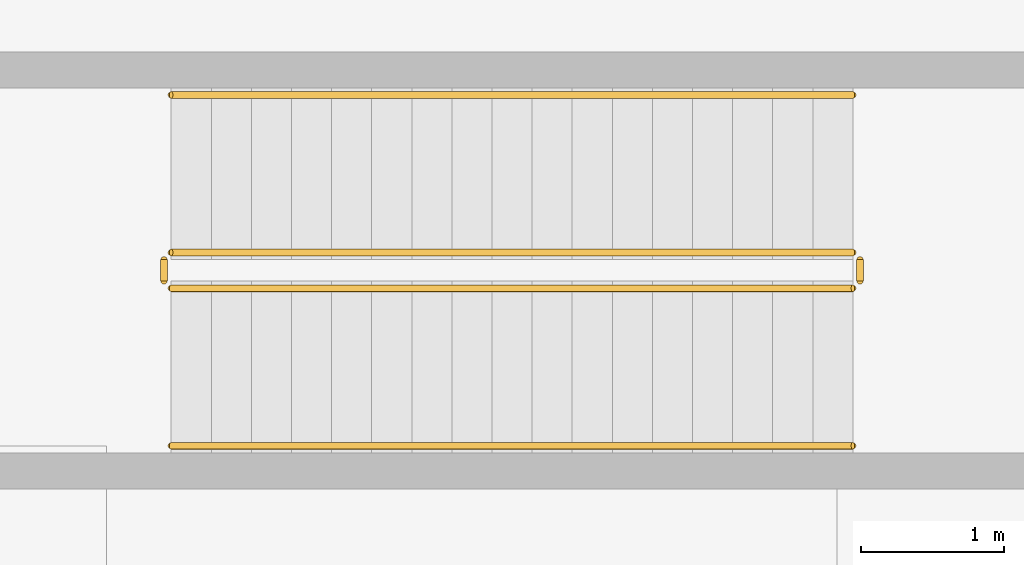
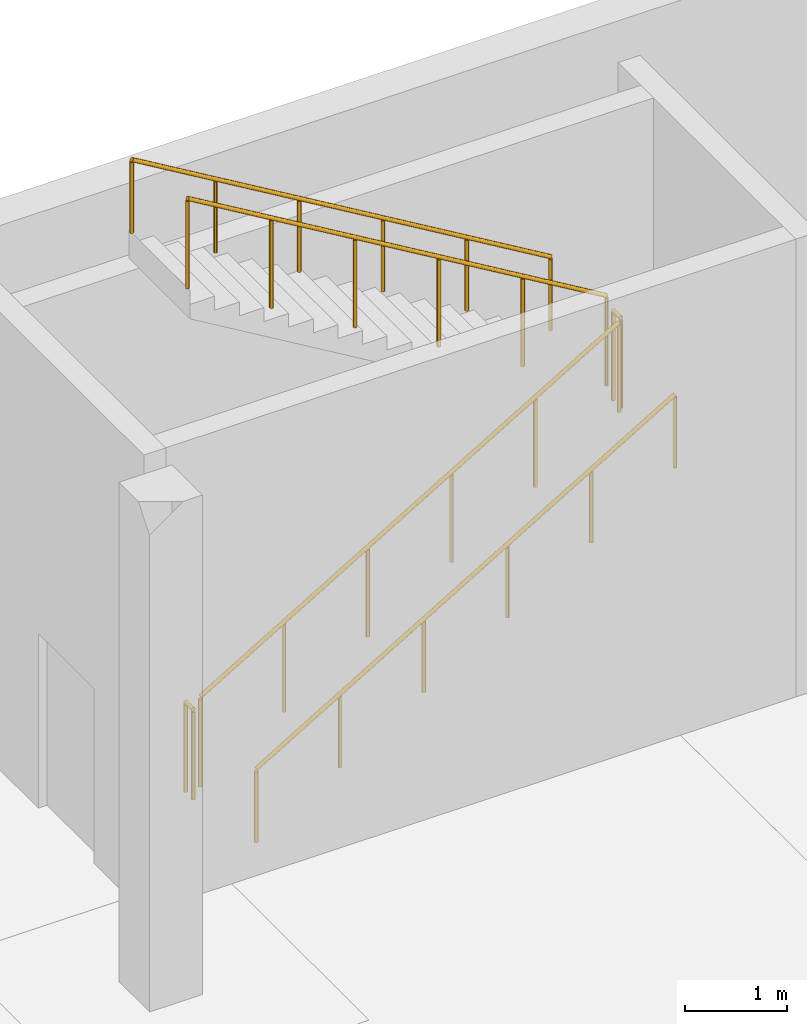
# One storey, part 29 of 39: 6 railings.
"""IFC4 building model written with IfcOpenShell, lengths in metres."""

import ifcopenshell
import ifcopenshell.guid

model = None  # the IFC model being written
_history = None  # IfcOwnerHistory: only IFC2X3 demands one
_inside = {}  # id of a spatial element -> (the spatial element, [elements in it])
_under = {}  # id of a project, library or spatial element -> (it, [spatial elements below it])
_declared = {}  # id of a project -> (the project, [libraries it declares])
_typed = {}  # id of a type object -> (the type object, [elements of that type])
_made_of = {}  # id of a material, layer set ... -> (it, [elements and type objects made of it])


def new_model(schema):
    """Start an empty IFC model of exactly this schema.

    Asked for "IFC4X3", IfcOpenShell would pick the latest addendum, in which some entities
    have other attributes; the version numbers below select the first issue.
    IFC2X3 requires an IfcOwnerHistory on every rooted entity: one is made here for all.
    """
    global model, _history
    if schema == "IFC4X3":
        model = ifcopenshell.file(schema_version=(4, 3, 0, 0))
    else:
        model = ifcopenshell.file(schema=schema)
    _inside.clear()
    _under.clear()
    _declared.clear()
    _typed.clear()
    _made_of.clear()
    _history = None
    if model.schema == "IFC2X3":
        org = make("IfcOrganization", Name="unknown")
        user = make(
            "IfcPersonAndOrganization",
            ThePerson=make("IfcPerson", FamilyName="unknown"),
            TheOrganization=org,
        )
        app = make(
            "IfcApplication",
            ApplicationDeveloper=org,
            Version="unknown",
            ApplicationFullName="unknown",
            ApplicationIdentifier="unknown",
        )
        _history = make(
            "IfcOwnerHistory",
            OwningUser=user,
            OwningApplication=app,
            ChangeAction="ADDED",
            CreationDate=0,
        )
    return model


def make(cls, **values):
    """One entity of the class cls with the attributes given. An attribute that is None is left unset."""
    return model.create_entity(
        cls, **{name: value for name, value in values.items() if value is not None}
    )


def rooted(cls, **values):
    """An entity with a GlobalId (a new one), such as an element, a storey or a relation."""
    return make(cls, GlobalId=ifcopenshell.guid.new(), OwnerHistory=_history, **values)


def si_unit(unit_type, name, prefix=None):
    """IfcSIUnit, for example si_unit("LENGTHUNIT", "METRE", prefix="MILLI")."""
    return make("IfcSIUnit", UnitType=unit_type, Prefix=prefix, Name=name)


def assignment(units):
    """IfcUnitAssignment: the units of a project."""
    return None if units is None else make("IfcUnitAssignment", Units=units)


def point(xyz):
    """IfcCartesianPoint."""
    return None if xyz is None else make("IfcCartesianPoint", Coordinates=xyz)


def direction(xyz):
    """IfcDirection."""
    return None if xyz is None else make("IfcDirection", DirectionRatios=xyz)


def frame(location, z_axis=None, x_axis=None):
    """IfcAxis2Placement3D, a coordinate frame: its origin and axes. An axis left out is left unset."""
    return make(
        "IfcAxis2Placement3D",
        Location=point(location),
        Axis=direction(z_axis),
        RefDirection=direction(x_axis),
    )


def frame_2d(location, x_axis=None):
    """IfcAxis2Placement2D, a coordinate frame in the plane: its origin and x axis."""
    return make(
        "IfcAxis2Placement2D", Location=point(location), RefDirection=direction(x_axis)
    )


def origin():
    """The frame at (0, 0, 0) with its axes left unset."""
    return frame((0.0, 0.0, 0.0))


def origin_2d():
    """The frame at (0, 0) in the plane with its x axis left unset."""
    return frame_2d((0.0, 0.0))


def place(relative_to, where):
    """IfcLocalPlacement: puts the frame where relative to a parent placement (None: the world)."""
    return make(
        "IfcLocalPlacement", PlacementRelTo=relative_to, RelativePlacement=where
    )


def context(
    kind, dimensions, precision=None, world=None, true_north=None, identifier=None
):
    """IfcGeometricRepresentationContext, for example the 3D "Model" context."""
    return make(
        "IfcGeometricRepresentationContext",
        ContextIdentifier=identifier,
        ContextType=kind,
        CoordinateSpaceDimension=dimensions,
        Precision=precision,
        WorldCoordinateSystem=world,
        TrueNorth=true_north,
    )


def subcontext(parent, identifier, kind, view, scale=None):
    """IfcGeometricRepresentationSubContext, for example "Body" below "Model"."""
    return make(
        "IfcGeometricRepresentationSubContext",
        ContextIdentifier=identifier,
        ContextType=kind,
        ParentContext=parent,
        TargetScale=scale,
        TargetView=view,
    )


def project(units=None, contexts=None):
    """IfcProject with its units and contexts."""
    return rooted(
        "IfcProject",
        Name="project",
        RepresentationContexts=contexts,
        UnitsInContext=assignment(units),
    )


def spatial(cls, under=None, at=None, **own):
    """A site, building, storey or space (cls), placed at a placement, below another one or the project."""
    s = rooted(cls, ObjectPlacement=at, **own)
    if under is not None:
        _under.setdefault(under.id(), (under, []))[1].append(s)
    return s


def profile(cls, at=None, kind="AREA", **sizes):
    """A parametric profile (cls). Its sizes go by their IFC names, for example OverallWidth=200.0."""
    return make(cls, ProfileType=kind, Position=at, **sizes)


def circle(**sizes):
    """IfcCircleProfileDef."""
    return profile("IfcCircleProfileDef", **sizes)


def extrude(swept, where, along, depth):
    """IfcExtrudedAreaSolid: the profile swept, set in the frame where, extruded along a direction by depth."""
    return make(
        "IfcExtrudedAreaSolid",
        SweptArea=swept,
        Position=where,
        ExtrudedDirection=direction(along),
        Depth=depth,
    )


def shape(context_of_items, identifier, shape_type, items):
    """IfcShapeRepresentation: the items that make up one representation, for example the "Body"."""
    return make(
        "IfcShapeRepresentation",
        ContextOfItems=context_of_items,
        RepresentationIdentifier=identifier,
        RepresentationType=shape_type,
        Items=items,
    )


def material(Name=None, Category=None):
    """IfcMaterial."""
    return make("IfcMaterial", Name=Name, Category=Category)


def made_of(thing, what):
    """Note that an element or type object is made of a material, layer set ...; save() writes the relation."""
    if what is not None:
        _made_of.setdefault(what.id(), (what, []))[1].append(thing)
    return thing


def type_object(cls, material=None, **own):
    """A type object (cls), such as IfcWallType, which elements share."""
    return made_of(rooted(cls, **own), material)


def element(
    cls,
    number,
    at=None,
    inside=None,
    cuts=None,
    type_object=None,
    material=None,
    context=None,
    identifier="Body",
    shape_type=None,
    held_by="IfcProductDefinitionShape",
    body=None,
    shapes=None,
    **own,
):
    """One element of the class cls, such as IfcWall. Its Tag is "e" and its number.

    at: its placement. inside: the storey or other place that contains it. cuts: it is an
    opening in that element (IfcRelVoidsElement). A single representation is given by context,
    identifier, shape_type and body (its items); several are given by shapes. held_by: the class
    of the entity that holds the representations. save() writes the other relations.
    """
    e = rooted(cls, Tag="e%d" % number, ObjectPlacement=at, **own)
    if body is not None:
        shapes = [shape(context, identifier, shape_type, body)]
    if shapes is not None:
        e.Representation = make(held_by, Representations=shapes)
    if inside is not None:
        _inside.setdefault(inside.id(), (inside, []))[1].append(e)
    if cuts is not None:
        rooted(
            "IfcRelVoidsElement", RelatingBuildingElement=cuts, RelatedOpeningElement=e
        )
    if type_object is not None:
        _typed.setdefault(type_object.id(), (type_object, []))[1].append(e)
    return made_of(e, material)


def aggregate(whole, parts):
    """IfcRelAggregates: a whole, such as a stair, and the parts it consists of."""
    return rooted("IfcRelAggregates", RelatingObject=whole, RelatedObjects=parts)


def save(model, path):
    """Write the relations noted so far, then the file.

    IfcRelAggregates (storeys below a building ...), IfcRelContainedInSpatialStructure (elements
    in a storey), IfcRelDefinesByType, IfcRelAssociatesMaterial and IfcRelDeclares: one each for
    every whole, place, type object, material and project.
    """
    for whole, parts in _under.values():
        aggregate(whole, parts)
    for where, things in _inside.values():
        rooted(
            "IfcRelContainedInSpatialStructure",
            RelatedElements=things,
            RelatingStructure=where,
        )
    for kind, things in _typed.values():
        rooted("IfcRelDefinesByType", RelatedObjects=things, RelatingType=kind)
    for what, things in _made_of.values():
        rooted("IfcRelAssociatesMaterial", RelatedObjects=things, RelatingMaterial=what)
    for by, libraries in _declared.values():
        rooted("IfcRelDeclares", RelatingContext=by, RelatedDefinitions=libraries)
    model.write(path)


model = new_model("IFC4")

# Units and contexts
model_context = context("Model", 3, precision=1e-05, world=origin(), true_north=direction((0.0, 1.0)))
body_context = subcontext(model_context, "Body", "Model", "MODEL_VIEW")
ifc_project = project(units=[si_unit("LENGTHUNIT", "METRE"), si_unit("AREAUNIT", "SQUARE_METRE"), si_unit("VOLUMEUNIT", "CUBIC_METRE"), si_unit("PLANEANGLEUNIT", "RADIAN"), si_unit("MASSUNIT", "GRAM", prefix="KILO")], contexts=[model_context])

# Site, building, storey
site_placement = place(None, origin())
site = spatial("IfcSite", under=ifc_project, at=site_placement, CompositionType="ELEMENT")
building_placement = place(site_placement, origin())
building = spatial("IfcBuilding", under=site, at=building_placement, Name="Tamorin Gate", CompositionType="ELEMENT")
storey_placement = place(building_placement, frame((0.0, 0.0, -12.0)))
storey = spatial("IfcBuildingStorey", under=building, at=storey_placement, Name="B2", CompositionType="ELEMENT", Elevation=-12.0)

# Railings
ifc_material = material(Name="Steel, galvanised", Category="steel")
railing_type_1 = type_object("IfcRailingType", Name="Steel guard 1100", PredefinedType="GUARDRAIL", material=ifc_material)
railing_1_placement = place(storey_placement, frame((132.35009765625, 48.89990234375, 0.166748046875)))
element("IfcRailing", 1, at=railing_1_placement, inside=storey, type_object=railing_type_1, Name="B2 SB7 stair guard 1", PredefinedType="GUARDRAIL", context=body_context, shape_type="SweptSolid", body=[
    extrude(circle(Radius=0.02392578125, at=origin_2d()), frame((0.0, 0.0, 1.076171875), z_axis=(0.859299802514, 0.0, 0.511472237174), x_axis=(0.0, 1.0, 0.0)), (0.0, 0.0, 1.0), 5.539306640625),
    extrude(circle(Radius=0.02099609375, at=origin_2d()), origin(), (0.0, 0.0, 1.0), 1.052001953125),
    extrude(circle(Radius=0.02099609375, at=origin_2d()), frame((0.951904296875, 0.0, 0.566650390625)), (0.0, 0.0, 1.0), 1.052001953125),
    extrude(circle(Radius=0.02099609375, at=origin_2d()), frame((1.904052734375, 0.0, 1.13330078125)), (0.0, 0.0, 1.0), 1.052001953125),
    extrude(circle(Radius=0.02099609375, at=origin_2d()), frame((2.85595703125, 0.0, 1.699951171875)), (0.0, 0.0, 1.0), 1.052001953125),
    extrude(circle(Radius=0.02099609375, at=origin_2d()), frame((3.80810546875, 0.0, 2.2666015625)), (0.0, 0.0, 1.0), 1.052001953125),
    extrude(circle(Radius=0.02099609375, at=origin_2d()), frame((4.760009765625, 0.0, 2.833251953125)), (0.0, 0.0, 1.0), 1.052001953125),
])
railing_2_placement = place(storey_placement, frame((137.159912109375, 48.949951171875, 3.0)))
element("IfcRailing", 2, at=railing_2_placement, inside=storey, type_object=railing_type_1, Name="B2 SB7 stair guard 2", PredefinedType="GUARDRAIL", context=body_context, shape_type="SweptSolid", body=[
    extrude(circle(Radius=0.02392578125, at=origin_2d()), frame((0.0, 0.0, 1.076171875), z_axis=(0.0, 1.0, 0.0), x_axis=(-1.0, 0.0, 0.0)), (0.0, 0.0, 1.0), 0.150146484375),
    extrude(circle(Radius=0.02099609375, at=origin_2d()), origin(), (0.0, 0.0, 1.0), 1.052001953125),
    extrude(circle(Radius=0.02099609375, at=origin_2d()), frame((0.0, 0.150146484375, 0.0)), (0.0, 0.0, 1.0), 1.052001953125),
])
railing_3_placement = place(storey_placement, frame((137.110107421875, 49.14990234375, 3.166748046875)))
element("IfcRailing", 3, at=railing_3_placement, inside=storey, type_object=railing_type_1, Name="B2 SB7 stair guard 3", PredefinedType="GUARDRAIL", context=body_context, shape_type="SweptSolid", body=[
    extrude(circle(Radius=0.02392578125, at=origin_2d()), frame((0.0, 0.0, 1.076171875), z_axis=(-0.859299802514, 0.0, 0.511472237174), x_axis=(0.0, -1.0, 0.0)), (0.0, 0.0, 1.0), 5.539306640625),
    extrude(circle(Radius=0.02099609375, at=origin_2d()), origin(), (0.0, 0.0, 1.0), 1.052001953125),
    extrude(circle(Radius=0.02099609375, at=origin_2d()), frame((-0.951904296875, 0.0, 0.566650390625)), (0.0, 0.0, 1.0), 1.052001953125),
    extrude(circle(Radius=0.02099609375, at=origin_2d()), frame((-1.904052734375, 0.0, 1.13330078125)), (0.0, 0.0, 1.0), 1.052001953125),
    extrude(circle(Radius=0.02099609375, at=origin_2d()), frame((-2.85595703125, 0.0, 1.699951171875)), (0.0, 0.0, 1.0), 1.052001953125),
    extrude(circle(Radius=0.02099609375, at=origin_2d()), frame((-3.80810546875, 0.0, 2.2666015625)), (0.0, 0.0, 1.0), 1.052001953125),
    extrude(circle(Radius=0.02099609375, at=origin_2d()), frame((-4.760009765625, 0.0, 2.833251953125)), (0.0, 0.0, 1.0), 1.052001953125),
])
railing_4_placement = place(storey_placement, frame((132.300048828125, 48.949951171875, 0.0)))
element("IfcRailing", 4, at=railing_4_placement, inside=storey, type_object=railing_type_1, Name="B2 SB7 stair guard 4", PredefinedType="GUARDRAIL", context=body_context, shape_type="SweptSolid", body=[
    extrude(circle(Radius=0.02392578125, at=origin_2d()), frame((0.0, 0.0, 1.076171875), z_axis=(0.0, 1.0, 0.0), x_axis=(-1.0, 0.0, 0.0)), (0.0, 0.0, 1.0), 0.150146484375),
    extrude(circle(Radius=0.02099609375, at=origin_2d()), origin(), (0.0, 0.0, 1.0), 1.052001953125),
    extrude(circle(Radius=0.02099609375, at=origin_2d()), frame((0.0, 0.150146484375, 0.0)), (0.0, 0.0, 1.0), 1.052001953125),
])
railing_type_2 = type_object("IfcRailingType", Name="Steel handrail 900", PredefinedType="HANDRAIL", material=ifc_material)
railing_5_placement = place(storey_placement, frame((132.35009765625, 47.800048828125, 0.166748046875)))
element("IfcRailing", 5, at=railing_5_placement, inside=storey, type_object=railing_type_2, Name="B2 SB7 stair handrail 1", PredefinedType="HANDRAIL", context=body_context, shape_type="SweptSolid", body=[
    extrude(circle(Radius=0.02392578125, at=origin_2d()), frame((0.0, 0.0, 0.8759765625), z_axis=(0.859299802514, 0.0, 0.511472237174), x_axis=(0.0, 1.0, 0.0)), (0.0, 0.0, 1.0), 5.539306640625),
    extrude(circle(Radius=0.02099609375, at=origin_2d()), origin(), (0.0, 0.0, 1.0), 0.851806640625),
    extrude(circle(Radius=0.02099609375, at=origin_2d()), frame((0.951904296875, 0.0, 0.566650390625)), (0.0, 0.0, 1.0), 0.851806640625),
    extrude(circle(Radius=0.02099609375, at=origin_2d()), frame((1.904052734375, 0.0, 1.13330078125)), (0.0, 0.0, 1.0), 0.851806640625),
    extrude(circle(Radius=0.02099609375, at=origin_2d()), frame((2.85595703125, 0.0, 1.699951171875)), (0.0, 0.0, 1.0), 0.851806640625),
    extrude(circle(Radius=0.02099609375, at=origin_2d()), frame((3.80810546875, 0.0, 2.2666015625)), (0.0, 0.0, 1.0), 0.851806640625),
    extrude(circle(Radius=0.02099609375, at=origin_2d()), frame((4.760009765625, 0.0, 2.833251953125)), (0.0, 0.0, 1.0), 0.851806640625),
])
railing_6_placement = place(storey_placement, frame((137.110107421875, 50.25, 3.166748046875)))
element("IfcRailing", 6, at=railing_6_placement, inside=storey, type_object=railing_type_2, Name="B2 SB7 stair handrail 2", PredefinedType="HANDRAIL", context=body_context, shape_type="SweptSolid", body=[
    extrude(circle(Radius=0.02392578125, at=origin_2d()), frame((0.0, 0.0, 0.8759765625), z_axis=(-0.859299802514, 0.0, 0.511472237174), x_axis=(0.0, -1.0, 0.0)), (0.0, 0.0, 1.0), 5.539306640625),
    extrude(circle(Radius=0.02099609375, at=origin_2d()), origin(), (0.0, 0.0, 1.0), 0.851806640625),
    extrude(circle(Radius=0.02099609375, at=origin_2d()), frame((-0.951904296875, 0.0, 0.566650390625)), (0.0, 0.0, 1.0), 0.851806640625),
    extrude(circle(Radius=0.02099609375, at=origin_2d()), frame((-1.904052734375, 0.0, 1.13330078125)), (0.0, 0.0, 1.0), 0.851806640625),
    extrude(circle(Radius=0.02099609375, at=origin_2d()), frame((-2.85595703125, 0.0, 1.699951171875)), (0.0, 0.0, 1.0), 0.851806640625),
    extrude(circle(Radius=0.02099609375, at=origin_2d()), frame((-3.80810546875, 0.0, 2.2666015625)), (0.0, 0.0, 1.0), 0.851806640625),
    extrude(circle(Radius=0.02099609375, at=origin_2d()), frame((-4.760009765625, 0.0, 2.833251953125)), (0.0, 0.0, 1.0), 0.851806640625),
])

save(model, "model.ifc")
